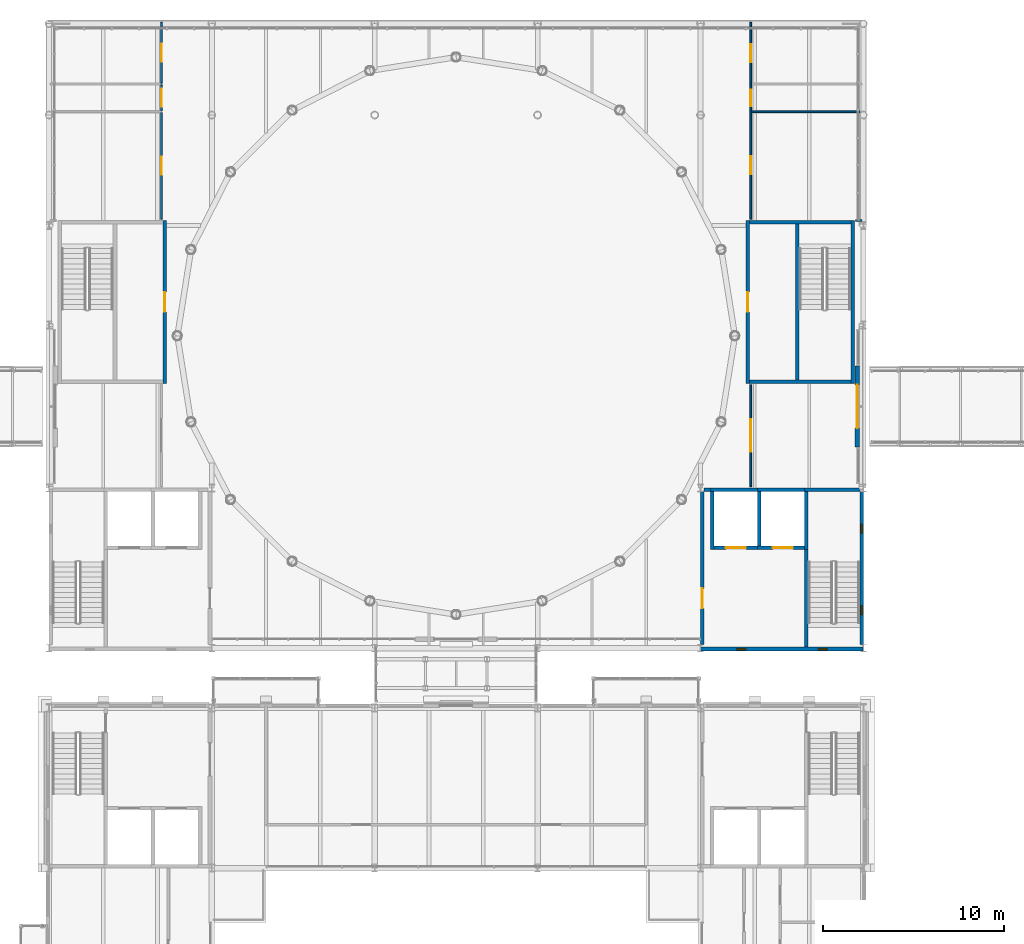
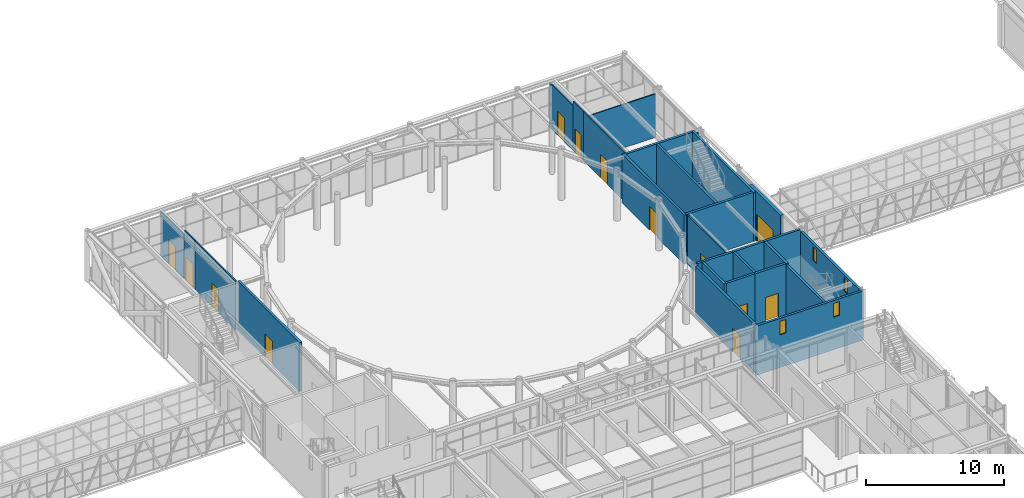
# One storey, part 98 of 149: 29 walls, 13 doors, 4 windows, 17 openings.
"""IFC4 building model written with IfcOpenShell, lengths in metres."""

from ifc_helpers import new_model, si_unit, direction, frame, frame_2d, origin, place, context, subcontext, project, spatial, rectangle, extrude, material, layer, layer_set, type_object, element, fill, save


model = new_model("IFC4")

# Units and contexts
model_context = context("Model", 3, precision=1e-05, world=origin(), true_north=direction((0.0, 1.0)))
body_context = subcontext(model_context, "Body", "Model", "MODEL_VIEW")
ifc_project = project(units=[si_unit("LENGTHUNIT", "METRE"), si_unit("AREAUNIT", "SQUARE_METRE"), si_unit("VOLUMEUNIT", "CUBIC_METRE"), si_unit("PLANEANGLEUNIT", "RADIAN"), si_unit("MASSUNIT", "GRAM", prefix="KILO")], contexts=[model_context])

# Site, building, storey
site_placement = place(None, origin())
site = spatial("IfcSite", under=ifc_project, at=site_placement, CompositionType="ELEMENT")
building_placement = place(site_placement, origin())
building = spatial("IfcBuilding", under=site, at=building_placement, Name="Kallimachos Central Library", CompositionType="ELEMENT")
storey_placement = place(building_placement, frame((0.0, 0.0, 9.89990234375)))
storey = spatial("IfcBuildingStorey", under=building, at=storey_placement, Name="L02", CompositionType="ELEMENT", Elevation=9.89990234375)

# Wall, opening, door
ifc_material_1 = material(Name="Concrete C30/37", Category="concrete")
ifc_layer_1 = layer(ifc_material_1, 0.199951171875)
ifc_layer_set_1 = layer_set([ifc_layer_1], Name="Core wall 200")
wall_type_1 = type_object("IfcWallType", Name="Core wall 200", PredefinedType="SOLIDWALL", material=ifc_layer_set_1)
wall_1_placement = place(storey_placement, frame((101.60009765625, 87.35009765625, 0.0), z_axis=(0.0, 0.0, 1.0), x_axis=(0.0, 1.0, 0.0)))
wall_1 = element("IfcWall", 1, at=wall_1_placement, inside=storey, type_object=wall_type_1, Name="Core wall V1-SE W", PredefinedType="SOLIDWALL", context=body_context, shape_type="SweptSolid", body=[
    extrude(rectangle(XDim=8.449951171875, YDim=0.199951171875, at=frame_2d((4.22509765625, 0.0))), origin(), (0.0, 0.0, 1.0), 4.35009765625),
])
opening_1_placement = place(wall_1_placement, frame((2.0, 0.0, 0.0)))
opening_1 = element("IfcOpeningElement", 2, at=opening_1_placement, cuts=wall_1, Name="Opening D228", PredefinedType="OPENING", context=body_context, shape_type="SweptSolid", body=[
    extrude(rectangle(XDim=1.10009765625, YDim=2.10009765625, at=frame_2d((0.550048828125, 1.050048828125))), frame((0.0, 0.10986328125, 0.0), z_axis=(0.0, -1.0, 0.0), x_axis=(1.0, 0.0, 0.0)), (0.0, 0.0, 1.0), 0.219970703125),
])
ifc_material_2 = material(Name="Steel fire door", Category="steel")
door_type_1 = type_object("IfcDoorType", Name="Fire door EI2 90 1100 x 2100", OperationType="NOTDEFINED", PredefinedType="DOOR", material=ifc_material_2)
door_1_placement = place(opening_1_placement, frame((1.10009765625, 0.0, 0.0), z_axis=(0.0, 0.0, 1.0), x_axis=(-1.0, 0.0, 0.0)))
door_1 = element("IfcDoor", 3, at=door_1_placement, inside=storey, type_object=door_type_1, Name="V1-DOR-L02-009", OperationType="SINGLE_SWING_LEFT", OverallHeight=2.10009765625, OverallWidth=1.10009765625, PredefinedType="DOOR", context=body_context, shape_type="SweptSolid", body=[
    extrude(rectangle(XDim=1.10009765625, YDim=2.10009765625, at=frame_2d((0.550048828125, 1.050048828125))), frame((0.0, 0.02490234375, 0.0), z_axis=(0.0, -1.0, 0.0), x_axis=(1.0, 0.0, 0.0)), (0.0, 0.0, 1.0), 0.050048828125),
])
fill(opening_1, door_1)

# Walls
wall_2_placement = place(storey_placement, frame((101.699951171875, 95.89990234375, 0.0), z_axis=(0.0, 0.0, 1.0), x_axis=(1.0, 0.0, 0.0)))
element("IfcWall", 4, at=wall_2_placement, inside=storey, type_object=wall_type_1, Name="Core wall V1-SE N", PredefinedType="SOLIDWALL", context=body_context, shape_type="SweptSolid", body=[
    extrude(rectangle(XDim=0.35009765625, YDim=0.199951171875, at=frame_2d((0.175048828125, 0.0))), origin(), (0.0, 0.0, 1.0), 4.5),
])
wall_3_placement = place(storey_placement, frame((107.25, 95.89990234375, 0.0), z_axis=(0.0, 0.0, 1.0), x_axis=(1.0, 0.0, 0.0)))
element("IfcWall", 5, at=wall_3_placement, inside=storey, type_object=wall_type_1, Name="Core wall V1-SE N", PredefinedType="SOLIDWALL", context=body_context, shape_type="SweptSolid", body=[
    extrude(rectangle(XDim=3.050048828125, YDim=0.199951171875, at=frame_2d((1.52490234375, 0.0))), origin(), (0.0, 0.0, 1.0), 4.5),
])
wall_4_placement = place(storey_placement, frame((107.35009765625, 87.199951171875, 0.0), z_axis=(0.0, 0.0, 1.0), x_axis=(0.0, 1.0, 0.0)))
element("IfcWall", 6, at=wall_4_placement, inside=storey, type_object=wall_type_1, Name="Stair wall V1-SE", PredefinedType="SOLIDWALL", context=body_context, shape_type="SweptSolid", body=[
    extrude(rectangle(XDim=5.400146484375, YDim=0.199951171875, at=frame_2d((2.7001953125, 0.0))), origin(), (0.0, 0.0, 1.0), 4.35009765625),
])

# Wall, opening, door
wall_5_placement = place(storey_placement, frame((71.89990234375, 101.77490234375, 0.0), z_axis=(0.0, 0.0, 1.0), x_axis=(0.0, 1.0, 0.0)))
wall_5 = element("IfcWall", 7, at=wall_5_placement, inside=storey, type_object=wall_type_1, Name="Core wall V1-NW E", PredefinedType="SOLIDWALL", context=body_context, shape_type="SweptSolid", body=[
    extrude(rectangle(XDim=9.0, YDim=0.199951171875, at=frame_2d((4.5, 0.0))), origin(), (0.0, 0.0, 1.0), 4.35009765625),
])
opening_2_placement = place(wall_5_placement, frame((3.949951171875, 0.0, 0.0)))
opening_2 = element("IfcOpeningElement", 8, at=opening_2_placement, cuts=wall_5, Name="Opening D234", PredefinedType="OPENING", context=body_context, shape_type="SweptSolid", body=[
    extrude(rectangle(XDim=1.10009765625, YDim=2.10009765625, at=frame_2d((0.550048828125, 1.050048828125))), frame((0.0, 0.10986328125, 0.0), z_axis=(0.0, -1.0, 0.0), x_axis=(1.0, 0.0, 0.0)), (0.0, 0.0, 1.0), 0.219970703125),
])
door_2_placement = place(opening_2_placement, origin())
door_2 = element("IfcDoor", 9, at=door_2_placement, inside=storey, type_object=door_type_1, Name="V1-DOR-L02-010", OperationType="SINGLE_SWING_RIGHT", OverallHeight=2.10009765625, OverallWidth=1.10009765625, PredefinedType="DOOR", context=body_context, shape_type="SweptSolid", body=[
    extrude(rectangle(XDim=1.10009765625, YDim=2.10009765625, at=frame_2d((0.550048828125, 1.050048828125))), frame((0.0, 0.02490234375, 0.0), z_axis=(0.0, -1.0, 0.0), x_axis=(1.0, 0.0, 0.0)), (0.0, 0.0, 1.0), 0.050048828125),
])
fill(opening_2, door_2)

wall_6_placement = place(storey_placement, frame((104.10009765625, 101.77490234375, 0.0), z_axis=(0.0, 0.0, 1.0), x_axis=(0.0, 1.0, 0.0)))
wall_6 = element("IfcWall", 10, at=wall_6_placement, inside=storey, type_object=wall_type_1, Name="Core wall V1-NE W", PredefinedType="SOLIDWALL", context=body_context, shape_type="SweptSolid", body=[
    extrude(rectangle(XDim=9.0, YDim=0.199951171875, at=frame_2d((4.5, 0.0))), origin(), (0.0, 0.0, 1.0), 4.35009765625),
])
opening_3_placement = place(wall_6_placement, frame((3.949951171875, 0.0, 0.0)))
opening_3 = element("IfcOpeningElement", 11, at=opening_3_placement, cuts=wall_6, Name="Opening D240", PredefinedType="OPENING", context=body_context, shape_type="SweptSolid", body=[
    extrude(rectangle(XDim=1.10009765625, YDim=2.10009765625, at=frame_2d((0.550048828125, 1.050048828125))), frame((0.0, 0.10986328125, 0.0), z_axis=(0.0, -1.0, 0.0), x_axis=(1.0, 0.0, 0.0)), (0.0, 0.0, 1.0), 0.219970703125),
])
door_3_placement = place(opening_3_placement, frame((1.10009765625, 0.0, 0.0), z_axis=(0.0, 0.0, 1.0), x_axis=(-1.0, 0.0, 0.0)))
door_3 = element("IfcDoor", 12, at=door_3_placement, inside=storey, type_object=door_type_1, Name="V1-DOR-L02-011", OperationType="SINGLE_SWING_LEFT", OverallHeight=2.10009765625, OverallWidth=1.10009765625, PredefinedType="DOOR", context=body_context, shape_type="SweptSolid", body=[
    extrude(rectangle(XDim=1.10009765625, YDim=2.10009765625, at=frame_2d((0.550048828125, 1.050048828125))), frame((0.0, 0.02490234375, 0.0), z_axis=(0.0, -1.0, 0.0), x_axis=(1.0, 0.0, 0.0)), (0.0, 0.0, 1.0), 0.050048828125),
])
fill(opening_3, door_3)

# Walls
wall_7_placement = place(storey_placement, frame((109.89990234375, 101.77490234375, 0.0), z_axis=(0.0, 0.0, 1.0), x_axis=(0.0, 1.0, 0.0)))
element("IfcWall", 13, at=wall_7_placement, inside=storey, type_object=wall_type_1, Name="Core wall V1-NE E", PredefinedType="SOLIDWALL", context=body_context, shape_type="SweptSolid", body=[
    extrude(rectangle(XDim=9.0, YDim=0.199951171875, at=frame_2d((4.5, 0.0))), origin(), (0.0, 0.0, 1.0), 4.35009765625),
])
for number, where, z_axis, x_axis, name in (
    (14, (104.199951171875, 101.875, 0.0), (0.0, 0.0, 1.0), (1.0, 0.0, 0.0), "Core wall V1-NE S"),
    (15, (104.199951171875, 110.675048828125, 0.0), (0.0, 0.0, 1.0), (1.0, 0.0, 0.0), "Core wall V1-NE N"),
):
    element("IfcWall", number, at=place(storey_placement, frame(where, z_axis=z_axis, x_axis=x_axis)), inside=storey, type_object=wall_type_1, Name=name, PredefinedType="SOLIDWALL", context=body_context, shape_type="SweptSolid", body=[
        extrude(rectangle(XDim=5.60009765625, YDim=0.199951171875, at=frame_2d((2.800048828125, 0.0))), origin(), (0.0, 0.0, 1.0), 4.35009765625),
    ])
wall_8_placement = place(storey_placement, frame((106.85009765625, 101.97509765625, 0.0), z_axis=(0.0, 0.0, 1.0), x_axis=(0.0, 1.0, 0.0)))
element("IfcWall", 16, at=wall_8_placement, inside=storey, type_object=wall_type_1, Name="Stair wall V1-NE", PredefinedType="SOLIDWALL", context=body_context, shape_type="SweptSolid", body=[
    extrude(rectangle(XDim=8.599853515625, YDim=0.199951171875, at=frame_2d((4.2998046875, 0.0))), origin(), (0.0, 0.0, 1.0), 4.35009765625),
])
ifc_material_3 = material(Name="Concrete C30/37", Category="concrete")
ifc_layer_2 = layer(ifc_material_3, 0.199951171875)
ifc_layer_set_2 = layer_set([ifc_layer_2], Name="Lift shaft wall 200")
wall_type_2 = type_object("IfcWallType", Name="Lift shaft wall 200", PredefinedType="SOLIDWALL", material=ifc_layer_set_2)
wall_9_placement = place(storey_placement, frame((104.64990234375, 95.89990234375, 0.0), z_axis=(0.0, 0.0, 1.0), x_axis=(1.0, 0.0, 0.0)))
element("IfcWall", 17, at=wall_9_placement, inside=storey, type_object=wall_type_2, Name="V1-WAL-L02-008", PredefinedType="SOLIDWALL", context=body_context, shape_type="SweptSolid", body=[
    extrude(rectangle(XDim=2.60009765625, YDim=0.199951171875, at=frame_2d((1.300048828125, 0.0))), origin(), (0.0, 0.0, 1.0), 4.5),
])

# Wall, opening, door
wall_10_placement = place(storey_placement, frame((104.64990234375, 92.699951171875, 0.0), z_axis=(0.0, 0.0, 1.0), x_axis=(1.0, 0.0, 0.0)))
wall_10 = element("IfcWall", 18, at=wall_10_placement, inside=storey, type_object=wall_type_2, Name="V1-WAL-L02-009", PredefinedType="SOLIDWALL", context=body_context, shape_type="SweptSolid", body=[
    extrude(rectangle(XDim=2.60009765625, YDim=0.199951171875, at=frame_2d((1.300048828125, 0.0))), origin(), (0.0, 0.0, 1.0), 4.5),
])
opening_4_placement = place(wall_10_placement, frame((0.85009765625, 0.0, 0.0)))
opening_4 = element("IfcOpeningElement", 19, at=opening_4_placement, cuts=wall_10, Name="Opening LD1100", PredefinedType="OPENING", context=body_context, shape_type="SweptSolid", body=[
    extrude(rectangle(XDim=1.10009765625, YDim=2.10009765625, at=frame_2d((0.550048828125, 1.050048828125))), frame((0.0, 0.10986328125, 0.0), z_axis=(0.0, -1.0, 0.0), x_axis=(1.0, 0.0, 0.0)), (0.0, 0.0, 1.0), 0.219970703125),
])
ifc_material_4 = material(Name="Stainless steel", Category="steel")
door_type_2 = type_object("IfcDoorType", Name="Lift landing door 1100 x 2100", OperationType="SLIDING_TO_LEFT", PredefinedType="DOOR", material=ifc_material_4)
door_4_placement = place(opening_4_placement, origin())
door_4 = element("IfcDoor", 20, at=door_4_placement, inside=storey, type_object=door_type_2, Name="LF3 landing door L02", OperationType="SLIDING_TO_LEFT", OverallHeight=2.10009765625, OverallWidth=1.10009765625, PredefinedType="DOOR", context=body_context, shape_type="SweptSolid", body=[
    extrude(rectangle(XDim=1.10009765625, YDim=2.10009765625, at=frame_2d((0.550048828125, 1.050048828125))), frame((0.0, 0.02490234375, 0.0), z_axis=(0.0, -1.0, 0.0), x_axis=(1.0, 0.0, 0.0)), (0.0, 0.0, 1.0), 0.050048828125),
])
fill(opening_4, door_4)

# Walls
for number, where, z_axis, x_axis, name in (
    (21, (104.75, 92.60009765625, 0.0), (0.0, 0.0, 1.0), (0.0, 1.0, 0.0), "V1-WAL-L02-010"),
    (22, (107.35009765625, 92.60009765625, 0.0), (0.0, 0.0, 1.0), (0.0, 1.0, 0.0), "V1-WAL-L02-011"),
):
    element("IfcWall", number, at=place(storey_placement, frame(where, z_axis=z_axis, x_axis=x_axis)), inside=storey, type_object=wall_type_2, Name=name, PredefinedType="SOLIDWALL", context=body_context, shape_type="SweptSolid", body=[
        extrude(rectangle(XDim=3.39990234375, YDim=0.199951171875, at=frame_2d((1.699951171875, 0.0))), origin(), (0.0, 0.0, 1.0), 4.5),
    ])
wall_11_placement = place(storey_placement, frame((102.050048828125, 95.89990234375, 0.0), z_axis=(0.0, 0.0, 1.0), x_axis=(1.0, 0.0, 0.0)))
element("IfcWall", 23, at=wall_11_placement, inside=storey, type_object=wall_type_2, Name="V1-WAL-L02-012", PredefinedType="SOLIDWALL", context=body_context, shape_type="SweptSolid", body=[
    extrude(rectangle(XDim=2.599853515625, YDim=0.199951171875, at=frame_2d((1.2998046875, 0.0))), origin(), (0.0, 0.0, 1.0), 4.5),
])

# Wall, opening, door
wall_12_placement = place(storey_placement, frame((102.25, 92.699951171875, 0.0), z_axis=(0.0, 0.0, 1.0), x_axis=(1.0, 0.0, 0.0)))
wall_12 = element("IfcWall", 24, at=wall_12_placement, inside=storey, type_object=wall_type_2, Name="V1-WAL-L02-013", PredefinedType="SOLIDWALL", context=body_context, shape_type="SweptSolid", body=[
    extrude(rectangle(XDim=2.39990234375, YDim=0.199951171875, at=frame_2d((1.199951171875, 0.0))), origin(), (0.0, 0.0, 1.0), 4.5),
])
opening_5_placement = place(wall_12_placement, frame((0.64990234375, 0.0, 0.0)))
opening_5 = element("IfcOpeningElement", 25, at=opening_5_placement, cuts=wall_12, Name="Opening LD1100", PredefinedType="OPENING", context=body_context, shape_type="SweptSolid", body=[
    extrude(rectangle(XDim=1.10009765625, YDim=2.10009765625, at=frame_2d((0.550048828125, 1.050048828125))), frame((0.0, 0.10986328125, 0.0), z_axis=(0.0, -1.0, 0.0), x_axis=(1.0, 0.0, 0.0)), (0.0, 0.0, 1.0), 0.219970703125),
])
door_5_placement = place(opening_5_placement, origin())
door_5 = element("IfcDoor", 26, at=door_5_placement, inside=storey, type_object=door_type_2, Name="LF4 landing door L02", OperationType="SLIDING_TO_LEFT", OverallHeight=2.10009765625, OverallWidth=1.10009765625, PredefinedType="DOOR", context=body_context, shape_type="SweptSolid", body=[
    extrude(rectangle(XDim=1.10009765625, YDim=2.10009765625, at=frame_2d((0.550048828125, 1.050048828125))), frame((0.0, 0.02490234375, 0.0), z_axis=(0.0, -1.0, 0.0), x_axis=(1.0, 0.0, 0.0)), (0.0, 0.0, 1.0), 0.050048828125),
])
fill(opening_5, door_5)

# Wall
wall_13_placement = place(storey_placement, frame((102.14990234375, 92.60009765625, 0.0), z_axis=(0.0, 0.0, 1.0), x_axis=(0.0, 1.0, 0.0)))
element("IfcWall", 27, at=wall_13_placement, inside=storey, type_object=wall_type_2, Name="V1-WAL-L02-014", PredefinedType="SOLIDWALL", context=body_context, shape_type="SweptSolid", body=[
    extrude(rectangle(XDim=3.39990234375, YDim=0.199951171875, at=frame_2d((1.699951171875, 0.0))), origin(), (0.0, 0.0, 1.0), 4.5),
])

# Wall, opening, door
ifc_material_5 = material(Name="Pentelic marble cladding on blockwork", Category="masonry")
ifc_layer_3 = layer(ifc_material_5, 0.25)
ifc_layer_set_3 = layer_set([ifc_layer_3], Name="Link portal wall 250")
wall_type_3 = type_object("IfcWallType", Name="Link portal wall 250", PredefinedType="SOLIDWALL", material=ifc_layer_set_3)
wall_14_placement = place(storey_placement, frame((110.14990234375, 98.25, 0.0), z_axis=(0.0, 0.0, 1.0), x_axis=(0.0, 1.0, 0.0)))
wall_14 = element("IfcWall", 28, at=wall_14_placement, inside=storey, type_object=wall_type_3, Name="V1-WAL-L02-017", PredefinedType="SOLIDWALL", context=body_context, shape_type="SweptSolid", body=[
    extrude(rectangle(XDim=4.5, YDim=0.25, at=frame_2d((2.25, 0.0))), origin(), (0.0, 0.0, 1.0), 4.35009765625),
])
opening_6_placement = place(wall_14_placement, frame((1.050048828125, 0.0, 0.0)))
opening_6 = element("IfcOpeningElement", 29, at=opening_6_placement, cuts=wall_14, Name="Opening D57", PredefinedType="OPENING", context=body_context, shape_type="SweptSolid", body=[
    extrude(rectangle(XDim=2.39990234375, YDim=2.39990234375, at=frame_2d((1.199951171875, 1.199951171875))), frame((0.0, 0.135009765625, 0.0), z_axis=(0.0, -1.0, 0.0), x_axis=(1.0, 0.0, 0.0)), (0.0, 0.0, 1.0), 0.27001953125),
])
ifc_material_6 = material(Name="Glass and anodised aluminium", Category="aluminium")
door_type_3 = type_object("IfcDoorType", Name="Glazed double door 2400 x 2400", OperationType="DOUBLE_DOOR_SINGLE_SWING", PredefinedType="DOOR", material=ifc_material_6)
door_6_placement = place(opening_6_placement, frame((2.39990234375, 0.0, 0.0), z_axis=(0.0, 0.0, 1.0), x_axis=(-1.0, 0.0, 0.0)))
door_6 = element("IfcDoor", 30, at=door_6_placement, inside=storey, type_object=door_type_3, Name="V1-DOR-L02-007", OperationType="DOUBLE_DOOR_SINGLE_SWING", OverallHeight=2.39990234375, OverallWidth=2.39990234375, PredefinedType="DOOR", context=body_context, shape_type="SweptSolid", body=[
    extrude(rectangle(XDim=2.39990234375, YDim=2.39990234375, at=frame_2d((1.199951171875, 1.199951171875))), frame((0.0, 0.02490234375, 0.0), z_axis=(0.0, -1.0, 0.0), x_axis=(1.0, 0.0, 0.0)), (0.0, 0.0, 1.0), 0.050048828125),
])
fill(opening_6, door_6)

ifc_material_7 = material(Name="Plasterboard on steel studs", Category="steel")
ifc_layer_4 = layer(ifc_material_7, 0.10009765625)
ifc_layer_set_4 = layer_set([ifc_layer_4], Name="Partition 100")
wall_type_4 = type_object("IfcWallType", Name="Partition 100", PredefinedType="PARTITIONING", material=ifc_layer_set_4)
wall_15_placement = place(storey_placement, frame((71.719970703125, 116.73046875, 0.0), z_axis=(0.0, 0.0, 1.0), x_axis=(0.0, -1.0, 0.0)))
wall_15 = element("IfcWall", 31, at=wall_15_placement, inside=storey, type_object=wall_type_4, Name="Partition", PredefinedType="PARTITIONING", context=body_context, shape_type="SweptSolid", body=[
    extrude(rectangle(XDim=5.87548828125, YDim=0.10009765625, at=frame_2d((2.937744140625, 0.0))), origin(), (0.0, 0.0, 1.0), 4.35009765625),
])
opening_7_placement = place(wall_15_placement, frame((2.437744140625, 0.0, 0.0)))
opening_7 = element("IfcOpeningElement", 32, at=opening_7_placement, cuts=wall_15, Name="Opening D265", PredefinedType="OPENING", context=body_context, shape_type="SweptSolid", body=[
    extrude(rectangle(XDim=1.0, YDim=2.10009765625, at=frame_2d((0.5, 1.050048828125))), frame((0.0, 0.06005859375, 0.0), z_axis=(0.0, -1.0, 0.0), x_axis=(1.0, 0.0, 0.0)), (0.0, 0.0, 1.0), 0.1201171875),
])
ifc_material_8 = material(Name="Oak veneered door leaf")
door_type_4 = type_object("IfcDoorType", Name="Single leaf door EI2 30 1000 x 2100", OperationType="NOTDEFINED", PredefinedType="DOOR", material=ifc_material_8)
door_7_placement = place(opening_7_placement, frame((1.0, 0.0, 0.0), z_axis=(0.0, 0.0, 1.0), x_axis=(-1.0, 0.0, 0.0)))
door_7 = element("IfcDoor", 33, at=door_7_placement, inside=storey, type_object=door_type_4, Name="V1-DOR-L02-013", OperationType="SINGLE_SWING_RIGHT", OverallHeight=2.10009765625, OverallWidth=1.0, PredefinedType="DOOR", context=body_context, shape_type="SweptSolid", body=[
    extrude(rectangle(XDim=1.0, YDim=2.10009765625, at=frame_2d((0.5, 1.050048828125))), frame((0.0, 0.02490234375, 0.0), z_axis=(0.0, -1.0, 0.0), x_axis=(1.0, 0.0, 0.0)), (0.0, 0.0, 1.0), 0.050048828125),
])
fill(opening_7, door_7)

wall_16_placement = place(storey_placement, frame((71.719970703125, 118.263671875, 0.0), z_axis=(0.0, 0.0, 1.0), x_axis=(0.0, -1.0, 0.0)))
wall_16 = element("IfcWall", 34, at=wall_16_placement, inside=storey, type_object=wall_type_4, Name="Partition", PredefinedType="PARTITIONING", context=body_context, shape_type="SweptSolid", body=[
    extrude(rectangle(XDim=1.43310546875, YDim=0.10009765625, at=frame_2d((0.716552734375, 0.0))), origin(), (0.0, 0.0, 1.0), 4.35009765625),
])
opening_8_placement = place(wall_16_placement, frame((0.216552734375, 0.0, 0.0)))
opening_8 = element("IfcOpeningElement", 35, at=opening_8_placement, cuts=wall_16, Name="Opening D266", PredefinedType="OPENING", context=body_context, shape_type="SweptSolid", body=[
    extrude(rectangle(XDim=1.0, YDim=2.10009765625, at=frame_2d((0.5, 1.050048828125))), frame((0.0, 0.06005859375, 0.0), z_axis=(0.0, -1.0, 0.0), x_axis=(1.0, 0.0, 0.0)), (0.0, 0.0, 1.0), 0.1201171875),
])
door_8_placement = place(opening_8_placement, frame((1.0, 0.0, 0.0), z_axis=(0.0, 0.0, 1.0), x_axis=(-1.0, 0.0, 0.0)))
door_8 = element("IfcDoor", 36, at=door_8_placement, inside=storey, type_object=door_type_4, Name="V1-DOR-L02-014", OperationType="SINGLE_SWING_RIGHT", OverallHeight=2.10009765625, OverallWidth=1.0, PredefinedType="DOOR", context=body_context, shape_type="SweptSolid", body=[
    extrude(rectangle(XDim=1.0, YDim=2.10009765625, at=frame_2d((0.5, 1.050048828125))), frame((0.0, 0.02490234375, 0.0), z_axis=(0.0, -1.0, 0.0), x_axis=(1.0, 0.0, 0.0)), (0.0, 0.0, 1.0), 0.050048828125),
])
fill(opening_8, door_8)

wall_17_placement = place(storey_placement, frame((71.719970703125, 121.719970703125, 0.0), z_axis=(0.0, 0.0, 1.0), x_axis=(0.0, -1.0, 0.0)))
wall_17 = element("IfcWall", 37, at=wall_17_placement, inside=storey, type_object=wall_type_4, Name="Partition", PredefinedType="PARTITIONING", context=body_context, shape_type="SweptSolid", body=[
    extrude(rectangle(XDim=3.3564453125, YDim=0.10009765625, at=frame_2d((1.67822265625, 0.0))), origin(), (0.0, 0.0, 1.0), 3.9501953125),
])
opening_9_placement = place(wall_17_placement, frame((1.17822265625, 0.0, 0.0)))
opening_9 = element("IfcOpeningElement", 38, at=opening_9_placement, cuts=wall_17, Name="Opening D267", PredefinedType="OPENING", context=body_context, shape_type="SweptSolid", body=[
    extrude(rectangle(XDim=1.0, YDim=2.10009765625, at=frame_2d((0.5, 1.050048828125))), frame((0.0, 0.06005859375, 0.0), z_axis=(0.0, -1.0, 0.0), x_axis=(1.0, 0.0, 0.0)), (0.0, 0.0, 1.0), 0.1201171875),
])
door_9_placement = place(opening_9_placement, frame((1.0, 0.0, 0.0), z_axis=(0.0, 0.0, 1.0), x_axis=(-1.0, 0.0, 0.0)))
door_9 = element("IfcDoor", 39, at=door_9_placement, inside=storey, type_object=door_type_4, Name="V1-DOR-L02-015", OperationType="SINGLE_SWING_RIGHT", OverallHeight=2.10009765625, OverallWidth=1.0, PredefinedType="DOOR", context=body_context, shape_type="SweptSolid", body=[
    extrude(rectangle(XDim=1.0, YDim=2.10009765625, at=frame_2d((0.5, 1.050048828125))), frame((0.0, 0.02490234375, 0.0), z_axis=(0.0, -1.0, 0.0), x_axis=(1.0, 0.0, 0.0)), (0.0, 0.0, 1.0), 0.050048828125),
])
fill(opening_9, door_9)

wall_18_placement = place(storey_placement, frame((104.280029296875, 96.080078125, 0.0), z_axis=(0.0, 0.0, 1.0), x_axis=(0.0, 1.0, 0.0)))
wall_18 = element("IfcWall", 40, at=wall_18_placement, inside=storey, type_object=wall_type_4, Name="Partition", PredefinedType="PARTITIONING", context=body_context, shape_type="SweptSolid", body=[
    extrude(rectangle(XDim=5.614990234375, YDim=0.10009765625, at=frame_2d((2.8076171875, 0.0))), origin(), (0.0, 0.0, 1.0), 4.35009765625),
])
opening_10_placement = place(wall_18_placement, frame((1.907470703125, 0.0, 0.0)))
opening_10 = element("IfcOpeningElement", 41, at=opening_10_placement, cuts=wall_18, Name="Opening D268", PredefinedType="OPENING", context=body_context, shape_type="SweptSolid", body=[
    extrude(rectangle(XDim=1.800048828125, YDim=2.10009765625, at=frame_2d((0.89990234375, 1.050048828125))), frame((0.0, 0.06005859375, 0.0), z_axis=(0.0, -1.0, 0.0), x_axis=(1.0, 0.0, 0.0)), (0.0, 0.0, 1.0), 0.1201171875),
])
ifc_material_9 = material(Name="Oak veneered door leaf")
door_type_5 = type_object("IfcDoorType", Name="Double leaf door EI2 30 1800 x 2100", OperationType="DOUBLE_DOOR_SINGLE_SWING", PredefinedType="DOOR", material=ifc_material_9)
door_10_placement = place(opening_10_placement, origin())
door_10 = element("IfcDoor", 42, at=door_10_placement, inside=storey, type_object=door_type_5, Name="V1-DOR-L02-016", OperationType="DOUBLE_DOOR_SINGLE_SWING", OverallHeight=2.10009765625, OverallWidth=1.800048828125, PredefinedType="DOOR", context=body_context, shape_type="SweptSolid", body=[
    extrude(rectangle(XDim=1.800048828125, YDim=2.10009765625, at=frame_2d((0.89990234375, 1.050048828125))), frame((0.0, 0.02490234375, 0.0), z_axis=(0.0, -1.0, 0.0), x_axis=(1.0, 0.0, 0.0)), (0.0, 0.0, 1.0), 0.050048828125),
])
fill(opening_10, door_10)

# Wall
wall_19_placement = place(storey_placement, frame((110.419921875, 110.77490234375, 0.0), z_axis=(0.0, 0.0, 1.0), x_axis=(-1.0, 0.0, 0.0)))
element("IfcWall", 43, at=wall_19_placement, inside=storey, type_object=wall_type_4, Name="Partition", PredefinedType="PARTITIONING", context=body_context, shape_type="SweptSolid", body=[
    extrude(rectangle(XDim=0.33984375, YDim=0.10009765625, at=frame_2d((0.169921875, 0.0))), origin(), (0.0, 0.0, 1.0), 4.0400390625),
])

# Wall, opening, door
wall_20_placement = place(storey_placement, frame((104.280029296875, 110.85498046875, 0.0), z_axis=(0.0, 0.0, 1.0), x_axis=(0.0, 1.0, 0.0)))
wall_20 = element("IfcWall", 44, at=wall_20_placement, inside=storey, type_object=wall_type_4, Name="Partition", PredefinedType="PARTITIONING", context=body_context, shape_type="SweptSolid", body=[
    extrude(rectangle(XDim=5.925537109375, YDim=0.10009765625, at=frame_2d((2.962890625, 0.0))), origin(), (0.0, 0.0, 1.0), 4.35009765625),
])
opening_11_placement = place(wall_20_placement, frame((2.462646484375, 0.0, 0.0)))
opening_11 = element("IfcOpeningElement", 45, at=opening_11_placement, cuts=wall_20, Name="Opening D269", PredefinedType="OPENING", context=body_context, shape_type="SweptSolid", body=[
    extrude(rectangle(XDim=1.0, YDim=2.10009765625, at=frame_2d((0.5, 1.050048828125))), frame((0.0, 0.06005859375, 0.0), z_axis=(0.0, -1.0, 0.0), x_axis=(1.0, 0.0, 0.0)), (0.0, 0.0, 1.0), 0.1201171875),
])
door_11_placement = place(opening_11_placement, frame((1.0, 0.0, 0.0), z_axis=(0.0, 0.0, 1.0), x_axis=(-1.0, 0.0, 0.0)))
door_11 = element("IfcDoor", 46, at=door_11_placement, inside=storey, type_object=door_type_4, Name="V1-DOR-L02-017", OperationType="SINGLE_SWING_RIGHT", OverallHeight=2.10009765625, OverallWidth=1.0, PredefinedType="DOOR", context=body_context, shape_type="SweptSolid", body=[
    extrude(rectangle(XDim=1.0, YDim=2.10009765625, at=frame_2d((0.5, 1.050048828125))), frame((0.0, 0.02490234375, 0.0), z_axis=(0.0, -1.0, 0.0), x_axis=(1.0, 0.0, 0.0)), (0.0, 0.0, 1.0), 0.050048828125),
])
fill(opening_11, door_11)

# Wall
wall_21_placement = place(storey_placement, frame((104.330078125, 116.780517578125, 0.0), z_axis=(0.0, 0.0, 1.0), x_axis=(1.0, 0.0, 0.0)))
element("IfcWall", 47, at=wall_21_placement, inside=storey, type_object=wall_type_4, Name="Partition", PredefinedType="PARTITIONING", context=body_context, shape_type="SweptSolid", body=[
    extrude(rectangle(XDim=5.966796875, YDim=0.10009765625, at=frame_2d((2.9833984375, 0.0))), origin(), (0.0, 0.0, 1.0), 3.85009765625),
])

# Wall, opening, door
wall_22_placement = place(storey_placement, frame((104.280029296875, 116.780517578125, 0.0), z_axis=(0.0, 0.0, 1.0), x_axis=(0.0, 1.0, 0.0)))
wall_22 = element("IfcWall", 48, at=wall_22_placement, inside=storey, type_object=wall_type_4, Name="Partition", PredefinedType="PARTITIONING", context=body_context, shape_type="SweptSolid", body=[
    extrude(rectangle(XDim=1.533203125, YDim=0.10009765625, at=frame_2d((0.7666015625, 0.0))), origin(), (0.0, 0.0, 1.0), 4.35009765625),
])
opening_12_placement = place(wall_22_placement, frame((0.316650390625, 0.0, 0.0)))
opening_12 = element("IfcOpeningElement", 49, at=opening_12_placement, cuts=wall_22, Name="Opening D270", PredefinedType="OPENING", context=body_context, shape_type="SweptSolid", body=[
    extrude(rectangle(XDim=0.89990234375, YDim=2.10009765625, at=frame_2d((0.449951171875, 1.050048828125))), frame((0.0, 0.06005859375, 0.0), z_axis=(0.0, -1.0, 0.0), x_axis=(1.0, 0.0, 0.0)), (0.0, 0.0, 1.0), 0.1201171875),
])
ifc_material_10 = material(Name="Oak veneered door leaf")
door_type_6 = type_object("IfcDoorType", Name="Accessible WC door EI2 30 900 x 2100", OperationType="NOTDEFINED", PredefinedType="DOOR", material=ifc_material_10)
door_12_placement = place(opening_12_placement, frame((0.89990234375, 0.0, 0.0), z_axis=(0.0, 0.0, 1.0), x_axis=(-1.0, 0.0, 0.0)))
door_12 = element("IfcDoor", 50, at=door_12_placement, inside=storey, type_object=door_type_6, Name="V1-DOR-L02-018", OperationType="SINGLE_SWING_LEFT", OverallHeight=2.10009765625, OverallWidth=0.89990234375, PredefinedType="DOOR", context=body_context, shape_type="SweptSolid", body=[
    extrude(rectangle(XDim=0.89990234375, YDim=2.10009765625, at=frame_2d((0.449951171875, 1.050048828125))), frame((0.0, 0.02490234375, 0.0), z_axis=(0.0, -1.0, 0.0), x_axis=(1.0, 0.0, 0.0)), (0.0, 0.0, 1.0), 0.050048828125),
])
fill(opening_12, door_12)

wall_23_placement = place(storey_placement, frame((104.280029296875, 118.313720703125, 0.0), z_axis=(0.0, 0.0, 1.0), x_axis=(0.0, 1.0, 0.0)))
wall_23 = element("IfcWall", 51, at=wall_23_placement, inside=storey, type_object=wall_type_4, Name="Partition", PredefinedType="PARTITIONING", context=body_context, shape_type="SweptSolid", body=[
    extrude(rectangle(XDim=3.40625, YDim=0.10009765625, at=frame_2d((1.703125, 0.0))), origin(), (0.0, 0.0, 1.0), 3.9501953125),
])
opening_13_placement = place(wall_23_placement, frame((1.203125, 0.0, 0.0)))
opening_13 = element("IfcOpeningElement", 52, at=opening_13_placement, cuts=wall_23, Name="Opening D271", PredefinedType="OPENING", context=body_context, shape_type="SweptSolid", body=[
    extrude(rectangle(XDim=1.0, YDim=2.10009765625, at=frame_2d((0.5, 1.050048828125))), frame((0.0, 0.06005859375, 0.0), z_axis=(0.0, -1.0, 0.0), x_axis=(1.0, 0.0, 0.0)), (0.0, 0.0, 1.0), 0.1201171875),
])
door_13_placement = place(opening_13_placement, frame((1.0, 0.0, 0.0), z_axis=(0.0, 0.0, 1.0), x_axis=(-1.0, 0.0, 0.0)))
door_13 = element("IfcDoor", 53, at=door_13_placement, inside=storey, type_object=door_type_4, Name="V1-DOR-L02-019", OperationType="SINGLE_SWING_LEFT", OverallHeight=2.10009765625, OverallWidth=1.0, PredefinedType="DOOR", context=body_context, shape_type="SweptSolid", body=[
    extrude(rectangle(XDim=1.0, YDim=2.10009765625, at=frame_2d((0.5, 1.050048828125))), frame((0.0, 0.02490234375, 0.0), z_axis=(0.0, -1.0, 0.0), x_axis=(1.0, 0.0, 0.0)), (0.0, 0.0, 1.0), 0.050048828125),
])
fill(opening_13, door_13)

# Wall, openings, windows
ifc_material_11 = material(Name="Concrete C30/37", Category="concrete")
ifc_layer_5 = layer(ifc_material_11, 0.199951171875)
ifc_layer_set_5 = layer_set([ifc_layer_5], Name="Stone-clad core wall 200")
wall_type_5 = type_object("IfcWallType", Name="Stone-clad core wall 200", PredefinedType="SOLIDWALL", material=ifc_layer_set_5)
wall_24_placement = place(storey_placement, frame((110.39990234375, 87.35009765625, 0.0), z_axis=(0.0, 0.0, 1.0), x_axis=(0.0, 1.0, 0.0)))
wall_24 = element("IfcWall", 54, at=wall_24_placement, inside=storey, type_object=wall_type_5, Name="Core wall V1-SE E", PredefinedType="SOLIDWALL", context=body_context, shape_type="SweptSolid", body=[
    extrude(rectangle(XDim=8.449951171875, YDim=0.199951171875, at=frame_2d((4.22509765625, 0.0))), origin(), (0.0, 0.0, 1.0), 4.35009765625),
])
opening_14_placement = place(wall_24_placement, frame((1.64990234375, 0.0, 2.89990234375)))
opening_14 = element("IfcOpeningElement", 55, at=opening_14_placement, cuts=wall_24, Name="Opening W120", PredefinedType="OPENING", context=body_context, shape_type="SweptSolid", body=[
    extrude(rectangle(XDim=0.5, YDim=1.199951171875, at=frame_2d((0.25, 0.60009765625))), frame((0.0, 0.10986328125, 0.0), z_axis=(0.0, -1.0, 0.0), x_axis=(1.0, 0.0, 0.0)), (0.0, 0.0, 1.0), 0.219970703125),
])
opening_15_placement = place(wall_24_placement, frame((6.14990234375, 0.0, 2.89990234375)))
opening_15 = element("IfcOpeningElement", 56, at=opening_15_placement, cuts=wall_24, Name="Opening W121", PredefinedType="OPENING", context=body_context, shape_type="SweptSolid", body=[
    extrude(rectangle(XDim=0.5, YDim=1.199951171875, at=frame_2d((0.25, 0.60009765625))), frame((0.0, 0.10986328125, 0.0), z_axis=(0.0, -1.0, 0.0), x_axis=(1.0, 0.0, 0.0)), (0.0, 0.0, 1.0), 0.219970703125),
])
ifc_material_12 = material(Name="Laminated glass in bronze-anodised aluminium frame", Category="aluminium")
window_type = type_object("IfcWindowType", Name="Stair slot window 500x1200", PartitioningType="SINGLE_PANEL", PredefinedType="WINDOW", material=ifc_material_12)
window_1_placement = place(opening_14_placement, origin())
window_1 = element("IfcWindow", 57, at=window_1_placement, inside=storey, type_object=window_type, Name="V1-WIN-L02-005", OverallHeight=1.199951171875, OverallWidth=0.5, PartitioningType="SINGLE_PANEL", PredefinedType="WINDOW", context=body_context, shape_type="SweptSolid", body=[
    extrude(rectangle(XDim=0.5, YDim=1.199951171875, at=frame_2d((0.25, 0.60009765625))), frame((0.0, 0.030029296875, 0.0), z_axis=(0.0, -1.0, 0.0), x_axis=(1.0, 0.0, 0.0)), (0.0, 0.0, 1.0), 0.06005859375),
])
fill(opening_14, window_1)
window_2_placement = place(opening_15_placement, origin())
window_2 = element("IfcWindow", 58, at=window_2_placement, inside=storey, type_object=window_type, Name="V1-WIN-L02-006", OverallHeight=1.199951171875, OverallWidth=0.5, PartitioningType="SINGLE_PANEL", PredefinedType="WINDOW", context=body_context, shape_type="SweptSolid", body=[
    extrude(rectangle(XDim=0.5, YDim=1.199951171875, at=frame_2d((0.25, 0.60009765625))), frame((0.0, 0.030029296875, 0.0), z_axis=(0.0, -1.0, 0.0), x_axis=(1.0, 0.0, 0.0)), (0.0, 0.0, 1.0), 0.06005859375),
])
fill(opening_15, window_2)

wall_25_placement = place(storey_placement, frame((101.510986328125, 87.10009765625, 0.0), z_axis=(0.0, 0.0, 1.0), x_axis=(1.0, 0.0, 0.0)))
wall_25 = element("IfcWall", 59, at=wall_25_placement, inside=storey, type_object=wall_type_5, Name="Core wall V1-SE S", PredefinedType="SOLIDWALL", context=body_context, shape_type="SweptSolid", body=[
    extrude(rectangle(XDim=8.97802734375, YDim=0.199951171875, at=frame_2d((4.489013671875, 0.0))), origin(), (0.0, 0.0, 1.0), 4.35009765625),
])
opening_16_placement = place(wall_25_placement, frame((1.989013671875, 0.0, 2.89990234375)))
opening_16 = element("IfcOpeningElement", 60, at=opening_16_placement, cuts=wall_25, Name="Opening W122", PredefinedType="OPENING", context=body_context, shape_type="SweptSolid", body=[
    extrude(rectangle(XDim=0.5, YDim=1.199951171875, at=frame_2d((0.25, 0.60009765625))), frame((0.0, 0.10986328125, 0.0), z_axis=(0.0, -1.0, 0.0), x_axis=(1.0, 0.0, 0.0)), (0.0, 0.0, 1.0), 0.219970703125),
])
opening_17_placement = place(wall_25_placement, frame((6.489013671875, 0.0, 2.89990234375)))
opening_17 = element("IfcOpeningElement", 61, at=opening_17_placement, cuts=wall_25, Name="Opening W123", PredefinedType="OPENING", context=body_context, shape_type="SweptSolid", body=[
    extrude(rectangle(XDim=0.5, YDim=1.199951171875, at=frame_2d((0.25, 0.60009765625))), frame((0.0, 0.10986328125, 0.0), z_axis=(0.0, -1.0, 0.0), x_axis=(1.0, 0.0, 0.0)), (0.0, 0.0, 1.0), 0.219970703125),
])
window_3_placement = place(opening_16_placement, origin())
window_3 = element("IfcWindow", 62, at=window_3_placement, inside=storey, type_object=window_type, Name="V1-WIN-L02-007", OverallHeight=1.199951171875, OverallWidth=0.5, PartitioningType="SINGLE_PANEL", PredefinedType="WINDOW", context=body_context, shape_type="SweptSolid", body=[
    extrude(rectangle(XDim=0.5, YDim=1.199951171875, at=frame_2d((0.25, 0.60009765625))), frame((0.0, 0.030029296875, 0.0), z_axis=(0.0, -1.0, 0.0), x_axis=(1.0, 0.0, 0.0)), (0.0, 0.0, 1.0), 0.06005859375),
])
fill(opening_16, window_3)
window_4_placement = place(opening_17_placement, origin())
window_4 = element("IfcWindow", 63, at=window_4_placement, inside=storey, type_object=window_type, Name="V1-WIN-L02-008", OverallHeight=1.199951171875, OverallWidth=0.5, PartitioningType="SINGLE_PANEL", PredefinedType="WINDOW", context=body_context, shape_type="SweptSolid", body=[
    extrude(rectangle(XDim=0.5, YDim=1.199951171875, at=frame_2d((0.25, 0.60009765625))), frame((0.0, 0.030029296875, 0.0), z_axis=(0.0, -1.0, 0.0), x_axis=(1.0, 0.0, 0.0)), (0.0, 0.0, 1.0), 0.06005859375),
])
fill(opening_17, window_4)

save(model, "model.ifc")
